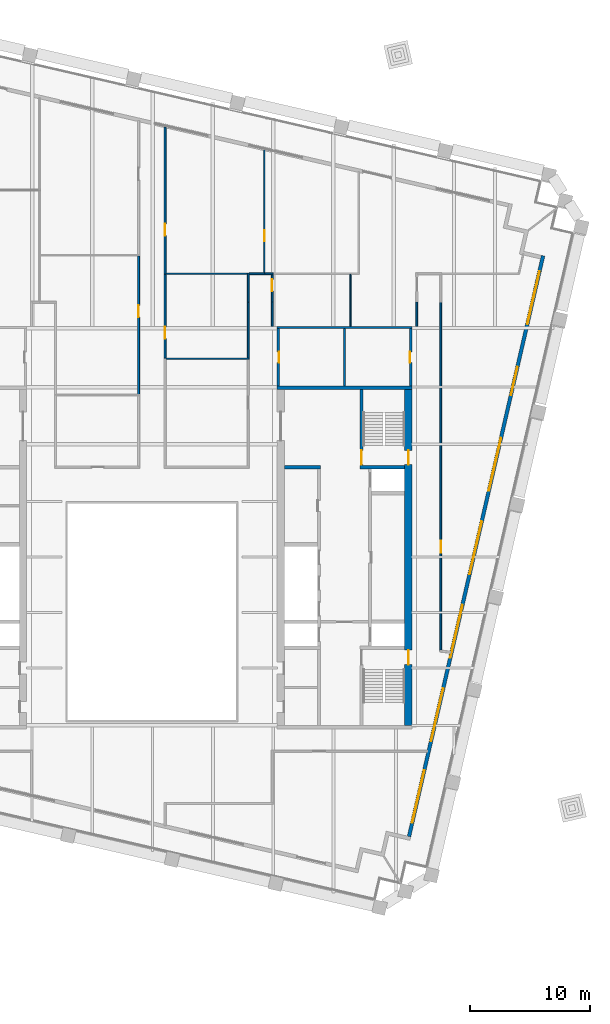
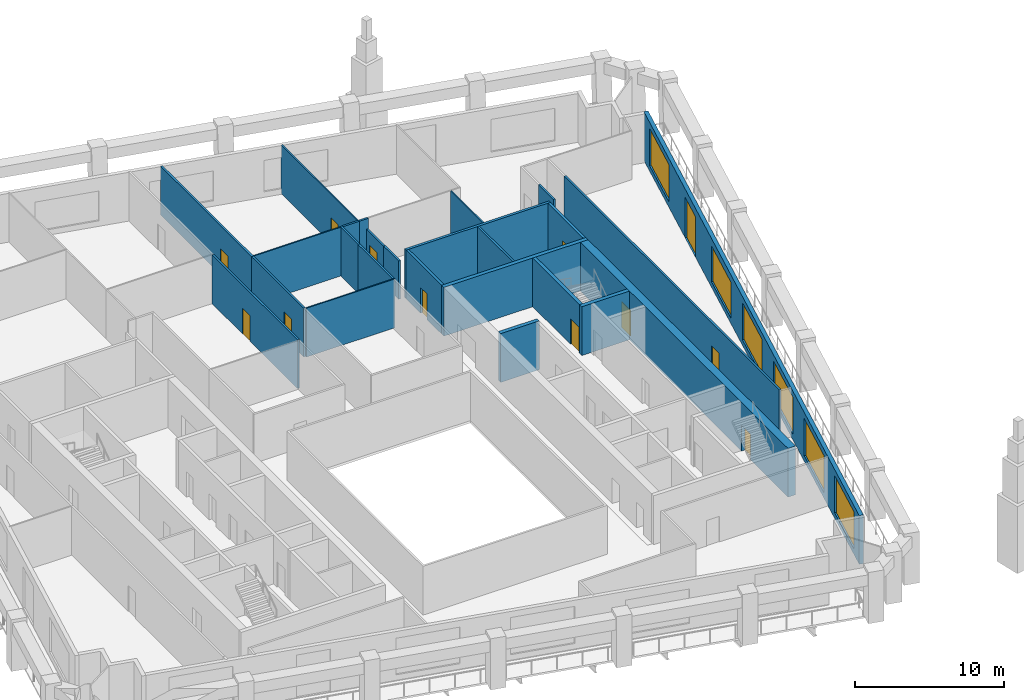
# One storey, part 7 of 9: 25 walls, 12 doors, 6 windows, 18 openings.
"""IFC4 building model written with IfcOpenShell, lengths in metres."""

from ifc_helpers import new_model, si_unit, direction, frame, frame_2d, origin, place, context, subcontext, project, spatial, rectangle, extrude, material, layer, layer_set, type_object, element, fill, save


model = new_model("IFC4")

# Units and contexts
model_context = context("Model", 3, precision=1e-05, world=origin(), true_north=direction((0.0, 1.0)))
body_context = subcontext(model_context, "Body", "Model", "MODEL_VIEW")
ifc_project = project(units=[si_unit("LENGTHUNIT", "METRE"), si_unit("AREAUNIT", "SQUARE_METRE"), si_unit("VOLUMEUNIT", "CUBIC_METRE"), si_unit("PLANEANGLEUNIT", "RADIAN"), si_unit("MASSUNIT", "GRAM", prefix="KILO")], contexts=[model_context])

# Site, building, storey
site_placement = place(None, origin())
site = spatial("IfcSite", under=ifc_project, at=site_placement, CompositionType="ELEMENT")
building_placement = place(site_placement, origin())
building = spatial("IfcBuilding", under=site, at=building_placement, Name="Ogive Exchange Tower", CompositionType="ELEMENT")
storey_placement = place(building_placement, frame((0.0, 0.0, 243.0)))
storey = spatial("IfcBuildingStorey", under=building, at=storey_placement, Name="L52", CompositionType="ELEMENT", Elevation=243.0)

# Walls
ifc_material_1 = material(Name="Gypsum board partition")
ifc_layer_1 = layer(ifc_material_1, 0.14990234375)
ifc_layer_set_1 = layer_set([ifc_layer_1], Name="Core room partition 150 gypsum")
wall_type_1 = type_object("IfcWallType", Name="Core room partition 150 gypsum", PredefinedType="PARTITIONING", material=ifc_layer_set_1)
wall_1_placement = place(storey_placement, frame((16.0, 25.75, 0.0), z_axis=(0.0, 0.0, 1.0), x_axis=(0.0, 1.0, 0.0)))
element("IfcWall", 1, at=wall_1_placement, inside=storey, type_object=wall_type_1, Name="E annex N column wall", PredefinedType="PARTITIONING", context=body_context, shape_type="SweptSolid", body=[
    extrude(rectangle(XDim=4.75, YDim=0.14990234375, at=frame_2d((2.375, 0.0))), origin(), (0.0, 0.0, 1.0), 4.0),
])
ifc_layer_2 = layer(ifc_material_1, 0.300048828125)
ifc_layer_set_2 = layer_set([ifc_layer_2], Name="Core room partition 300 gypsum")
wall_type_2 = type_object("IfcWallType", Name="Core room partition 300 gypsum", PredefinedType="PARTITIONING", material=ifc_layer_set_2)
wall_2_placement = place(storey_placement, frame((11.0, 19.0, 0.0), z_axis=(0.0, 0.0, 1.0), x_axis=(1.0, 0.0, 0.0)))
element("IfcWall", 2, at=wall_2_placement, inside=storey, type_object=wall_type_2, Name="E row B room end wall 7", PredefinedType="PARTITIONING", context=body_context, shape_type="SweptSolid", body=[
    extrude(rectangle(XDim=3.0, YDim=0.300048828125, at=frame_2d((1.5, 0.0))), origin(), (0.0, 0.0, 1.0), 4.0),
])

# Wall, opening, door
ifc_material_2 = material(Name="Fire partition EI 60 150")
ifc_layer_3 = layer(ifc_material_2, 0.14990234375)
ifc_layer_set_3 = layer_set([ifc_layer_3], Name="Fire partition EI 60 150")
wall_type_3 = type_object("IfcWallType", Name="Fire partition EI 60 150", PredefinedType="PARTITIONING", material=ifc_layer_set_3)
wall_3_placement = place(storey_placement, frame((-1.10009765625, 25.050048828125, 0.0), z_axis=(0.0, 0.0, 1.0), x_axis=(0.0, 1.0, 0.0)))
wall_3 = element("IfcWall", 3, at=wall_3_placement, inside=storey, type_object=wall_type_3, Name="L52-PWL-025", PredefinedType="PARTITIONING", context=body_context, shape_type="SweptSolid", body=[
    extrude(rectangle(XDim=11.489990234375, YDim=0.14990234375, at=frame_2d((5.7451171875, 0.0))), origin(), (0.0, 0.0, 1.0), 4.0),
])
opening_1_placement = place(wall_3_placement, frame((6.389892578125, 0.0, 0.0)))
opening_1 = element("IfcOpeningElement", 4, at=opening_1_placement, cuts=wall_3, Name="Opening L52-I02", PredefinedType="OPENING", context=body_context, shape_type="SweptSolid", body=[
    extrude(rectangle(XDim=1.0, YDim=2.10009765625, at=frame_2d((0.5, 1.050048828125))), frame((0.0, 0.0849609375, 0.0), z_axis=(0.0, -1.0, 0.0), x_axis=(1.0, 0.0, 0.0)), (0.0, 0.0, 1.0), 0.169921875),
])
ifc_material_3 = material(Name="Fire door FD 30S 1000 x 2100")
door_type_1 = type_object("IfcDoorType", Name="Fire door FD 30S 1000 x 2100", OperationType="NOTDEFINED", PredefinedType="DOOR", material=ifc_material_3)
door_1_placement = place(opening_1_placement, origin())
door_1 = element("IfcDoor", 5, at=door_1_placement, inside=storey, type_object=door_type_1, Name="L52-IDR-002", ObjectType="DT3", OperationType="SINGLE_SWING_RIGHT", OverallHeight=2.10009765625, OverallWidth=1.0, PredefinedType="DOOR", context=body_context, shape_type="SweptSolid", body=[
    extrude(rectangle(XDim=1.0, YDim=2.10009765625, at=frame_2d((0.5, 1.050048828125))), frame((0.0, 0.02490234375, 0.0), z_axis=(0.0, -1.0, 0.0), x_axis=(1.0, 0.0, 0.0)), (0.0, 0.0, 1.0), 0.050048828125),
])
fill(opening_1, door_1)

wall_4_placement = place(storey_placement, frame((1.10009765625, 35.02001953125, 0.0), z_axis=(0.0, 0.0, 1.0), x_axis=(0.0, -1.0, 0.0)))
wall_4 = element("IfcWall", 6, at=wall_4_placement, inside=storey, type_object=wall_type_3, Name="L52-PWL-031", PredefinedType="PARTITIONING", context=body_context, shape_type="SweptSolid", body=[
    extrude(rectangle(XDim=6.969970703125, YDim=0.14990234375, at=frame_2d((3.48486328125, 0.0))), origin(), (0.0, 0.0, 1.0), 4.0),
])
opening_2_placement = place(wall_4_placement, frame((4.3701171875, 0.0, 0.0)))
opening_2 = element("IfcOpeningElement", 7, at=opening_2_placement, cuts=wall_4, Name="Opening L52-I10", PredefinedType="OPENING", context=body_context, shape_type="SweptSolid", body=[
    extrude(rectangle(XDim=1.0, YDim=2.10009765625, at=frame_2d((0.5, 1.050048828125))), frame((0.0, 0.0849609375, 0.0), z_axis=(0.0, -1.0, 0.0), x_axis=(1.0, 0.0, 0.0)), (0.0, 0.0, 1.0), 0.169921875),
])
door_2_placement = place(opening_2_placement, origin())
door_2 = element("IfcDoor", 8, at=door_2_placement, inside=storey, type_object=door_type_1, Name="L52-IDR-010", ObjectType="DT3", OperationType="SINGLE_SWING_LEFT", OverallHeight=2.10009765625, OverallWidth=1.0, PredefinedType="DOOR", context=body_context, shape_type="SweptSolid", body=[
    extrude(rectangle(XDim=1.0, YDim=2.10009765625, at=frame_2d((0.5, 1.050048828125))), frame((0.0, 0.02490234375, 0.0), z_axis=(0.0, -1.0, 0.0), x_axis=(1.0, 0.0, 0.0)), (0.0, 0.0, 1.0), 0.050048828125),
])
fill(opening_2, door_2)

wall_5_placement = place(storey_placement, frame((1.10009765625, 47.27001953125, 0.0), z_axis=(0.0, 0.0, 1.0), x_axis=(0.0, -1.0, 0.0)))
wall_5 = element("IfcWall", 9, at=wall_5_placement, inside=storey, type_object=wall_type_3, Name="L52-PWL-032", PredefinedType="PARTITIONING", context=body_context, shape_type="SweptSolid", body=[
    extrude(rectangle(XDim=12.25, YDim=0.14990234375, at=frame_2d((6.125, 0.0))), origin(), (0.0, 0.0, 1.0), 4.0),
])
opening_3_placement = place(wall_5_placement, frame((8.050048828125, 0.0, 0.0)))
opening_3 = element("IfcOpeningElement", 10, at=opening_3_placement, cuts=wall_5, Name="Opening L52-I09", PredefinedType="OPENING", context=body_context, shape_type="SweptSolid", body=[
    extrude(rectangle(XDim=1.0, YDim=2.10009765625, at=frame_2d((0.5, 1.050048828125))), frame((0.0, 0.0849609375, 0.0), z_axis=(0.0, -1.0, 0.0), x_axis=(1.0, 0.0, 0.0)), (0.0, 0.0, 1.0), 0.169921875),
])
door_3_placement = place(opening_3_placement, origin())
door_3 = element("IfcDoor", 11, at=door_3_placement, inside=storey, type_object=door_type_1, Name="L52-IDR-009", ObjectType="DT3", OperationType="SINGLE_SWING_LEFT", OverallHeight=2.10009765625, OverallWidth=1.0, PredefinedType="DOOR", context=body_context, shape_type="SweptSolid", body=[
    extrude(rectangle(XDim=1.0, YDim=2.10009765625, at=frame_2d((0.5, 1.050048828125))), frame((0.0, 0.02490234375, 0.0), z_axis=(0.0, -1.0, 0.0), x_axis=(1.0, 0.0, 0.0)), (0.0, 0.0, 1.0), 0.050048828125),
])
fill(opening_3, door_3)

# Walls
wall_6_placement = place(storey_placement, frame((8.0, 28.050048828125, 0.0), z_axis=(0.0, 0.0, 1.0), x_axis=(0.0, 1.0, 0.0)))
element("IfcWall", 12, at=wall_6_placement, inside=storey, type_object=wall_type_3, Name="L52-PWL-034", PredefinedType="PARTITIONING", context=body_context, shape_type="SweptSolid", body=[
    extrude(rectangle(XDim=4.64990234375, YDim=0.14990234375, at=frame_2d((2.324951171875, 0.0))), origin(), (0.0, 0.0, 1.0), 4.0),
])
wall_7_placement = place(storey_placement, frame((8.010009765625, 32.699951171875, 0.0), z_axis=(0.0, 0.0, 1.0), x_axis=(0.0, 1.0, 0.0)))
element("IfcWall", 13, at=wall_7_placement, inside=storey, type_object=wall_type_3, Name="L52-PWL-035", PredefinedType="PARTITIONING", context=body_context, shape_type="SweptSolid", body=[
    extrude(rectangle(XDim=2.420166015625, YDim=0.14990234375, at=frame_2d((1.2099609375, 0.0))), origin(), (0.0, 0.0, 1.0), 4.0),
])
wall_8_placement = place(storey_placement, frame((8.0849609375, 35.070068359375, 0.0), z_axis=(0.0, 0.0, 1.0), x_axis=(1.0, 0.0, 0.0)))
element("IfcWall", 14, at=wall_8_placement, inside=storey, type_object=wall_type_3, Name="L52-PWL-037", PredefinedType="PARTITIONING", context=body_context, shape_type="SweptSolid", body=[
    extrude(rectangle(XDim=1.304931640625, YDim=0.14990234375, at=frame_2d((0.65234375, 0.0))), origin(), (0.0, 0.0, 1.0), 4.0),
])
wall_9_placement = place(storey_placement, frame((9.389892578125, 35.070068359375, 0.0), z_axis=(0.0, 0.0, 1.0), x_axis=(1.0, 0.0, 0.0)))
element("IfcWall", 15, at=wall_9_placement, inside=storey, type_object=wall_type_3, Name="L52-PWL-038", PredefinedType="PARTITIONING", context=body_context, shape_type="SweptSolid", body=[
    extrude(rectangle(XDim=0.675048828125, YDim=0.14990234375, at=frame_2d((0.33740234375, 0.0))), origin(), (0.0, 0.0, 1.0), 4.0),
])

# Wall, opening, door
wall_10_placement = place(storey_placement, frame((9.989990234375, 34.9951171875, 0.0), z_axis=(0.0, 0.0, 1.0), x_axis=(0.0, -1.0, 0.0)))
wall_10 = element("IfcWall", 16, at=wall_10_placement, inside=storey, type_object=wall_type_3, Name="L52-PWL-040", PredefinedType="PARTITIONING", context=body_context, shape_type="SweptSolid", body=[
    extrude(rectangle(XDim=2.295166015625, YDim=0.14990234375, at=frame_2d((1.1474609375, 0.0))), origin(), (0.0, 0.0, 1.0), 3.154052734375),
])
opening_4_placement = place(wall_10_placement, frame((0.39501953125, 0.0, 0.0)))
opening_4 = element("IfcOpeningElement", 17, at=opening_4_placement, cuts=wall_10, Name="Opening L52-I11", PredefinedType="OPENING", context=body_context, shape_type="SweptSolid", body=[
    extrude(rectangle(XDim=1.0, YDim=2.10009765625, at=frame_2d((0.5, 1.050048828125))), frame((0.0, 0.0849609375, 0.0), z_axis=(0.0, -1.0, 0.0), x_axis=(1.0, 0.0, 0.0)), (0.0, 0.0, 1.0), 0.169921875),
])
door_4_placement = place(opening_4_placement, origin())
door_4 = element("IfcDoor", 18, at=door_4_placement, inside=storey, type_object=door_type_1, Name="L52-IDR-011", ObjectType="DT3", OperationType="SINGLE_SWING_RIGHT", OverallHeight=2.10009765625, OverallWidth=1.0, PredefinedType="DOOR", context=body_context, shape_type="SweptSolid", body=[
    extrude(rectangle(XDim=1.0, YDim=2.10009765625, at=frame_2d((0.5, 1.050048828125))), frame((0.0, 0.02490234375, 0.0), z_axis=(0.0, -1.0, 0.0), x_axis=(1.0, 0.0, 0.0)), (0.0, 0.0, 1.0), 0.050048828125),
])
fill(opening_4, door_4)

# Walls
wall_11_placement = place(storey_placement, frame((10.0, 32.699951171875, 0.0), z_axis=(0.0, 0.0, 1.0), x_axis=(0.0, -1.0, 0.0)))
element("IfcWall", 19, at=wall_11_placement, inside=storey, type_object=wall_type_3, Name="L52-PWL-044", PredefinedType="PARTITIONING", context=body_context, shape_type="SweptSolid", body=[
    extrude(rectangle(XDim=2.0, YDim=0.14990234375, at=frame_2d((1.0, 0.0))), origin(), (0.0, 0.0, 1.0), 3.154052734375),
])
wall_12_placement = place(storey_placement, frame((22.0, 30.68994140625, 0.0), z_axis=(0.0, 0.0, 1.0), x_axis=(0.0, 1.0, 0.0)))
element("IfcWall", 20, at=wall_12_placement, inside=storey, type_object=wall_type_3, Name="L52-PWL-048", PredefinedType="PARTITIONING", context=body_context, shape_type="SweptSolid", body=[
    extrude(rectangle(XDim=2.010009765625, YDim=0.14990234375, at=frame_2d((1.0048828125, 0.0))), origin(), (0.0, 0.0, 1.0), 4.0),
])

# Wall, opening, door
wall_13_placement = place(storey_placement, frame((24.0, 32.699951171875, 0.0), z_axis=(0.0, 0.0, 1.0), x_axis=(0.0, -1.0, 0.0)))
wall_13 = element("IfcWall", 21, at=wall_13_placement, inside=storey, type_object=wall_type_3, Name="L52-PWL-055", PredefinedType="PARTITIONING", context=body_context, shape_type="SweptSolid", body=[
    extrude(rectangle(XDim=28.905029296875, YDim=0.14990234375, at=frame_2d((14.45263671875, 0.0))), origin(), (0.0, 0.0, 1.0), 4.0),
])
opening_5_placement = place(wall_13_placement, frame((19.830078125, 0.0, 0.0)))
opening_5 = element("IfcOpeningElement", 22, at=opening_5_placement, cuts=wall_13, Name="Opening L52-I12", PredefinedType="OPENING", context=body_context, shape_type="SweptSolid", body=[
    extrude(rectangle(XDim=1.0, YDim=2.10009765625, at=frame_2d((0.5, 1.050048828125))), frame((0.0, 0.0849609375, 0.0), z_axis=(0.0, -1.0, 0.0), x_axis=(1.0, 0.0, 0.0)), (0.0, 0.0, 1.0), 0.169921875),
])
door_5_placement = place(opening_5_placement, origin())
door_5 = element("IfcDoor", 23, at=door_5_placement, inside=storey, type_object=door_type_1, Name="L52-IDR-012", ObjectType="DT3", OperationType="SINGLE_SWING_LEFT", OverallHeight=2.10009765625, OverallWidth=1.0, PredefinedType="DOOR", context=body_context, shape_type="SweptSolid", body=[
    extrude(rectangle(XDim=1.0, YDim=2.10009765625, at=frame_2d((0.5, 1.050048828125))), frame((0.0, 0.02490234375, 0.0), z_axis=(0.0, -1.0, 0.0), x_axis=(1.0, 0.0, 0.0)), (0.0, 0.0, 1.0), 0.050048828125),
])
fill(opening_5, door_5)

# Wall, openings, door, windows
ifc_material_4 = material(Name="Precast concrete C40/50", Category="concrete")
ifc_layer_4 = layer(ifc_material_4, 0.300048828125)
ifc_layer_set_4 = layer_set([ifc_layer_4], Name="Limestone-faced wall 300")
wall_type_4 = type_object("IfcWallType", Name="Limestone-faced wall 300", PredefinedType="STANDARD", material=ifc_layer_set_4)
wall_14_placement = place(storey_placement, frame((21.35888671875, -11.67822265625, 0.0), z_axis=(0.0, 0.0, 1.0), x_axis=(0.224949198343, 0.974370493275, 0.0)))
wall_14 = element("IfcWall", 24, at=wall_14_placement, inside=storey, type_object=wall_type_4, Name="External wall E2", PredefinedType="STANDARD", context=body_context, shape_type="SweptSolid", body=[
    extrude(rectangle(XDim=49.5, YDim=0.300048828125, at=frame_2d((24.75, 0.0))), origin(), (0.0, 0.0, 1.0), 4.0),
])
opening_6_placement = place(wall_14_placement, frame((1.156982421875, 0.0, 0.449951171875)))
opening_6 = element("IfcOpeningElement", 25, at=opening_6_placement, cuts=wall_14, Name="Opening W1", PredefinedType="OPENING", context=body_context, shape_type="SweptSolid", body=[
    extrude(rectangle(XDim=4.5, YDim=3.050048828125, at=frame_2d((2.25, 1.52490234375))), frame((0.0, 0.159912109375, 0.0), z_axis=(0.0, -1.0, 0.0), x_axis=(1.0, 0.0, 0.0)), (0.0, 0.0, 1.0), 0.320068359375),
])
opening_7_placement = place(wall_14_placement, frame((8.121337890625, 0.0, 0.449951171875)))
opening_7 = element("IfcOpeningElement", 26, at=opening_7_placement, cuts=wall_14, Name="Opening W1", PredefinedType="OPENING", context=body_context, shape_type="SweptSolid", body=[
    extrude(rectangle(XDim=4.5, YDim=3.050048828125, at=frame_2d((2.25, 1.52490234375))), frame((0.0, 0.159912109375, 0.0), z_axis=(0.0, -1.0, 0.0), x_axis=(1.0, 0.0, 0.0)), (0.0, 0.0, 1.0), 0.320068359375),
])
opening_8_placement = place(wall_14_placement, frame((15.235595703125, 0.0, 0.449951171875)))
opening_8 = element("IfcOpeningElement", 27, at=opening_8_placement, cuts=wall_14, Name="Opening W1", PredefinedType="OPENING", context=body_context, shape_type="SweptSolid", body=[
    extrude(rectangle(XDim=4.5, YDim=3.050048828125, at=frame_2d((2.25, 1.52490234375))), frame((0.0, 0.159912109375, 0.0), z_axis=(0.0, -1.0, 0.0), x_axis=(1.0, 0.0, 0.0)), (0.0, 0.0, 1.0), 0.320068359375),
])
opening_9_placement = place(wall_14_placement, frame((22.35009765625, 0.0, 0.449951171875)))
opening_9 = element("IfcOpeningElement", 28, at=opening_9_placement, cuts=wall_14, Name="Opening W1", PredefinedType="OPENING", context=body_context, shape_type="SweptSolid", body=[
    extrude(rectangle(XDim=4.5, YDim=3.050048828125, at=frame_2d((2.25, 1.52490234375))), frame((0.0, 0.159912109375, 0.0), z_axis=(0.0, -1.0, 0.0), x_axis=(1.0, 0.0, 0.0)), (0.0, 0.0, 1.0), 0.320068359375),
])
opening_10_placement = place(wall_14_placement, frame((29.464111328125, 0.0, 0.449951171875)))
opening_10 = element("IfcOpeningElement", 29, at=opening_10_placement, cuts=wall_14, Name="Opening W1B", PredefinedType="OPENING", context=body_context, shape_type="SweptSolid", body=[
    extrude(rectangle(XDim=4.5, YDim=2.949951171875, at=frame_2d((2.25, 1.47509765625))), frame((0.0, 0.159912109375, 0.0), z_axis=(0.0, -1.0, 0.0), x_axis=(1.0, 0.0, 0.0)), (0.0, 0.0, 1.0), 0.320068359375),
])
opening_11_placement = place(wall_14_placement, frame((37.62841796875, 0.0, 0.0)))
opening_11 = element("IfcOpeningElement", 30, at=opening_11_placement, cuts=wall_14, Name="Opening D1C", PredefinedType="OPENING", context=body_context, shape_type="SweptSolid", body=[
    extrude(rectangle(XDim=2.39990234375, YDim=3.324951171875, at=frame_2d((1.199951171875, 1.66259765625))), frame((0.0, 0.159912109375, 0.0), z_axis=(0.0, -1.0, 0.0), x_axis=(1.0, 0.0, 0.0)), (0.0, 0.0, 1.0), 0.320068359375),
])
opening_12_placement = place(wall_14_placement, frame((43.69287109375, 0.0, 0.449951171875)))
opening_12 = element("IfcOpeningElement", 31, at=opening_12_placement, cuts=wall_14, Name="Opening W1", PredefinedType="OPENING", context=body_context, shape_type="SweptSolid", body=[
    extrude(rectangle(XDim=4.5, YDim=3.050048828125, at=frame_2d((2.25, 1.52490234375))), frame((0.0, 0.159912109375, 0.0), z_axis=(0.0, -1.0, 0.0), x_axis=(1.0, 0.0, 0.0)), (0.0, 0.0, 1.0), 0.320068359375),
])
ifc_material_5 = material(Name="Clear glass in bronze frame", Category="glass")
door_type_2 = type_object("IfcDoorType", Name="Sliding loggia door 2400 x 3325", OperationType="DOUBLE_DOOR_SLIDING", PredefinedType="DOOR", material=ifc_material_5)
door_6_placement = place(opening_11_placement, origin())
door_6 = element("IfcDoor", 32, at=door_6_placement, inside=storey, type_object=door_type_2, Name="Loggia door E05", OperationType="DOUBLE_DOOR_SLIDING", OverallHeight=3.324951171875, OverallWidth=2.39990234375, PredefinedType="DOOR", context=body_context, shape_type="SweptSolid", body=[
    extrude(rectangle(XDim=2.39990234375, YDim=3.324951171875, at=frame_2d((1.199951171875, 1.66259765625))), frame((0.0, 0.02490234375, 0.0), z_axis=(0.0, -1.0, 0.0), x_axis=(1.0, 0.0, 0.0)), (0.0, 0.0, 1.0), 0.050048828125),
])
fill(opening_11, door_6)
window_type_1 = type_object("IfcWindowType", Name="Twin lancet window 4500 x 2950", PartitioningType="DOUBLE_PANEL_VERTICAL", PredefinedType="WINDOW", material=ifc_material_5)
window_1_placement = place(opening_10_placement, origin())
window_1 = element("IfcWindow", 33, at=window_1_placement, inside=storey, type_object=window_type_1, Name="Window E04", OverallHeight=2.949951171875, OverallWidth=4.5, PartitioningType="DOUBLE_PANEL_VERTICAL", PredefinedType="WINDOW", context=body_context, shape_type="SweptSolid", body=[
    extrude(rectangle(XDim=4.5, YDim=2.949951171875, at=frame_2d((2.25, 1.47509765625))), frame((0.0, 0.030029296875, 0.0), z_axis=(0.0, -1.0, 0.0), x_axis=(1.0, 0.0, 0.0)), (0.0, 0.0, 1.0), 0.06005859375),
])
fill(opening_10, window_1)
window_type_2 = type_object("IfcWindowType", Name="Twin lancet window 4500 x 3050", PartitioningType="DOUBLE_PANEL_VERTICAL", PredefinedType="WINDOW", material=ifc_material_5)
window_2_placement = place(opening_6_placement, origin())
window_2 = element("IfcWindow", 34, at=window_2_placement, inside=storey, type_object=window_type_2, Name="Window E00", OverallHeight=3.050048828125, OverallWidth=4.5, PartitioningType="DOUBLE_PANEL_VERTICAL", PredefinedType="WINDOW", context=body_context, shape_type="SweptSolid", body=[
    extrude(rectangle(XDim=4.5, YDim=3.050048828125, at=frame_2d((2.25, 1.52490234375))), frame((0.0, 0.030029296875, 0.0), z_axis=(0.0, -1.0, 0.0), x_axis=(1.0, 0.0, 0.0)), (0.0, 0.0, 1.0), 0.06005859375),
])
fill(opening_6, window_2)
window_3_placement = place(opening_7_placement, origin())
window_3 = element("IfcWindow", 35, at=window_3_placement, inside=storey, type_object=window_type_2, Name="Window E01", OverallHeight=3.050048828125, OverallWidth=4.5, PartitioningType="DOUBLE_PANEL_VERTICAL", PredefinedType="WINDOW", context=body_context, shape_type="SweptSolid", body=[
    extrude(rectangle(XDim=4.5, YDim=3.050048828125, at=frame_2d((2.25, 1.52490234375))), frame((0.0, 0.030029296875, 0.0), z_axis=(0.0, -1.0, 0.0), x_axis=(1.0, 0.0, 0.0)), (0.0, 0.0, 1.0), 0.06005859375),
])
fill(opening_7, window_3)
window_4_placement = place(opening_8_placement, origin())
window_4 = element("IfcWindow", 36, at=window_4_placement, inside=storey, type_object=window_type_2, Name="Window E02", OverallHeight=3.050048828125, OverallWidth=4.5, PartitioningType="DOUBLE_PANEL_VERTICAL", PredefinedType="WINDOW", context=body_context, shape_type="SweptSolid", body=[
    extrude(rectangle(XDim=4.5, YDim=3.050048828125, at=frame_2d((2.25, 1.52490234375))), frame((0.0, 0.030029296875, 0.0), z_axis=(0.0, -1.0, 0.0), x_axis=(1.0, 0.0, 0.0)), (0.0, 0.0, 1.0), 0.06005859375),
])
fill(opening_8, window_4)
window_5_placement = place(opening_9_placement, origin())
window_5 = element("IfcWindow", 37, at=window_5_placement, inside=storey, type_object=window_type_2, Name="Window E03", OverallHeight=3.050048828125, OverallWidth=4.5, PartitioningType="DOUBLE_PANEL_VERTICAL", PredefinedType="WINDOW", context=body_context, shape_type="SweptSolid", body=[
    extrude(rectangle(XDim=4.5, YDim=3.050048828125, at=frame_2d((2.25, 1.52490234375))), frame((0.0, 0.030029296875, 0.0), z_axis=(0.0, -1.0, 0.0), x_axis=(1.0, 0.0, 0.0)), (0.0, 0.0, 1.0), 0.06005859375),
])
fill(opening_9, window_5)
window_6_placement = place(opening_12_placement, origin())
window_6 = element("IfcWindow", 38, at=window_6_placement, inside=storey, type_object=window_type_2, Name="Window E06", OverallHeight=3.050048828125, OverallWidth=4.5, PartitioningType="DOUBLE_PANEL_VERTICAL", PredefinedType="WINDOW", context=body_context, shape_type="SweptSolid", body=[
    extrude(rectangle(XDim=4.5, YDim=3.050048828125, at=frame_2d((2.25, 1.52490234375))), frame((0.0, 0.030029296875, 0.0), z_axis=(0.0, -1.0, 0.0), x_axis=(1.0, 0.0, 0.0)), (0.0, 0.0, 1.0), 0.06005859375),
])
fill(opening_12, window_6)

# Walls
ifc_material_6 = material(Name="Partition 100 gypsum")
ifc_layer_5 = layer(ifc_material_6, 0.10009765625)
ifc_layer_set_5 = layer_set([ifc_layer_5], Name="Partition 100 gypsum")
wall_type_5 = type_object("IfcWallType", Name="Partition 100 gypsum", PredefinedType="PARTITIONING", material=ifc_layer_set_5)
wall_15_placement = place(storey_placement, frame((1.175048828125, 28.0, 0.0), z_axis=(0.0, 0.0, 1.0), x_axis=(1.0, 0.0, 0.0)))
element("IfcWall", 39, at=wall_15_placement, inside=storey, type_object=wall_type_5, Name="L52-PWL-030", PredefinedType="PARTITIONING", context=body_context, shape_type="SweptSolid", body=[
    extrude(rectangle(XDim=6.89990234375, YDim=0.10009765625, at=frame_2d((3.449951171875, 0.0))), origin(), (0.0, 0.0, 1.0), 4.0),
])
wall_16_placement = place(storey_placement, frame((7.93505859375, 35.070068359375, 0.0), z_axis=(0.0, 0.0, 1.0), x_axis=(-1.0, 0.0, 0.0)))
element("IfcWall", 40, at=wall_16_placement, inside=storey, type_object=wall_type_5, Name="L52-PWL-036", PredefinedType="PARTITIONING", context=body_context, shape_type="SweptSolid", body=[
    extrude(rectangle(XDim=6.760009765625, YDim=0.10009765625, at=frame_2d((3.3798828125, 0.0))), origin(), (0.0, 0.0, 1.0), 4.0),
])

# Wall, opening, door
wall_17_placement = place(storey_placement, frame((9.340087890625, 45.367919921875, 0.0), z_axis=(0.0, 0.0, 1.0), x_axis=(0.0, -1.0, 0.0)))
wall_17 = element("IfcWall", 41, at=wall_17_placement, inside=storey, type_object=wall_type_5, Name="L52-PWL-039", PredefinedType="PARTITIONING", context=body_context, shape_type="SweptSolid", body=[
    extrude(rectangle(XDim=10.222900390625, YDim=0.10009765625, at=frame_2d((5.111328125, 0.0))), origin(), (0.0, 0.0, 1.0), 4.0),
])
opening_13_placement = place(wall_17_placement, frame((6.697998046875, 0.0, 0.0)))
opening_13 = element("IfcOpeningElement", 42, at=opening_13_placement, cuts=wall_17, Name="Opening L52-I13", PredefinedType="OPENING", context=body_context, shape_type="SweptSolid", body=[
    extrude(rectangle(XDim=0.89990234375, YDim=2.10009765625, at=frame_2d((0.449951171875, 1.050048828125))), frame((0.0, 0.06005859375, 0.0), z_axis=(0.0, -1.0, 0.0), x_axis=(1.0, 0.0, 0.0)), (0.0, 0.0, 1.0), 0.1201171875),
])
ifc_material_7 = material(Name="Door 900 x 2100")
door_type_3 = type_object("IfcDoorType", Name="Door 900 x 2100", OperationType="NOTDEFINED", PredefinedType="DOOR", material=ifc_material_7)
door_7_placement = place(opening_13_placement, origin())
door_7 = element("IfcDoor", 43, at=door_7_placement, inside=storey, type_object=door_type_3, Name="L52-IDR-013", ObjectType="DT1", OperationType="SINGLE_SWING_LEFT", OverallHeight=2.10009765625, OverallWidth=0.89990234375, PredefinedType="DOOR", context=body_context, shape_type="SweptSolid", body=[
    extrude(rectangle(XDim=0.89990234375, YDim=2.10009765625, at=frame_2d((0.449951171875, 1.050048828125))), frame((0.0, 0.02490234375, 0.0), z_axis=(0.0, -1.0, 0.0), x_axis=(1.0, 0.0, 0.0)), (0.0, 0.0, 1.0), 0.050048828125),
])
fill(opening_13, door_7)

# Wall
wall_18_placement = place(storey_placement, frame((16.5, 35.02001953125, 0.0), z_axis=(0.0, 0.0, 1.0), x_axis=(0.0, -1.0, 0.0)))
element("IfcWall", 44, at=wall_18_placement, inside=storey, type_object=wall_type_5, Name="L52-PWL-045", PredefinedType="PARTITIONING", context=body_context, shape_type="SweptSolid", body=[
    extrude(rectangle(XDim=4.320068359375, YDim=0.10009765625, at=frame_2d((2.16015625, 0.0))), origin(), (0.0, 0.0, 1.0), 4.0),
])

# Wall, opening, door
ifc_material_8 = material(Name="Concrete C70/85", Category="concrete")
ifc_layer_6 = layer(ifc_material_8, 0.199951171875)
ifc_layer_set_6 = layer_set([ifc_layer_6], Name="RC core wall 200 C70/85")
wall_type_6 = type_object("IfcWallType", Name="RC core wall 200 C70/85", PredefinedType="SHEAR", material=ifc_layer_set_6)
wall_19_placement = place(storey_placement, frame((21.5, 25.75, 0.0), z_axis=(0.0, 0.0, 1.0), x_axis=(0.0, 1.0, 0.0)))
wall_19 = element("IfcWall", 45, at=wall_19_placement, inside=storey, type_object=wall_type_6, Name="E annex N outer wall", PredefinedType="SHEAR", context=body_context, shape_type="SweptSolid", body=[
    extrude(rectangle(XDim=4.75, YDim=0.199951171875, at=frame_2d((2.375, 0.0))), origin(), (0.0, 0.0, 1.0), 4.0),
])
opening_14_placement = place(wall_19_placement, frame((1.925048828125, 0.0, 0.0)))
opening_14 = element("IfcOpeningElement", 46, at=opening_14_placement, cuts=wall_19, Name="Opening L52-C37", PredefinedType="OPENING", context=body_context, shape_type="SweptSolid", body=[
    extrude(rectangle(XDim=0.89990234375, YDim=2.10009765625, at=frame_2d((0.449951171875, 1.050048828125))), frame((0.0, 0.10986328125, 0.0), z_axis=(0.0, -1.0, 0.0), x_axis=(1.0, 0.0, 0.0)), (0.0, 0.0, 1.0), 0.219970703125),
])
ifc_material_9 = material(Name="Steel fire door", Category="steel")
door_type_4 = type_object("IfcDoorType", Name="Riser door FD60 900 x 2100", OperationType="NOTDEFINED", PredefinedType="DOOR", material=ifc_material_9)
door_8_placement = place(opening_14_placement, frame((0.89990234375, 0.14990234375, 0.0), z_axis=(0.0, 0.0, 1.0), x_axis=(-1.0, 0.0, 0.0)))
door_8 = element("IfcDoor", 47, at=door_8_placement, inside=storey, type_object=door_type_4, Name="Riser door", ObjectType="CD2", OperationType="SINGLE_SWING_LEFT", OverallHeight=2.10009765625, OverallWidth=0.89990234375, PredefinedType="DOOR", context=body_context, shape_type="SweptSolid", body=[
    extrude(rectangle(XDim=0.89990234375, YDim=2.10009765625, at=frame_2d((0.449951171875, 1.050048828125))), frame((0.0, 0.10009765625, 0.0), z_axis=(0.0, -1.0, 0.0), x_axis=(1.0, 0.0, 0.0)), (0.0, 0.0, 1.0), 0.050048828125),
])
fill(opening_14, door_8)

wall_20_placement = place(storey_placement, frame((10.5, 25.75, 0.0), z_axis=(0.0, 0.0, 1.0), x_axis=(0.0, 1.0, 0.0)))
wall_20 = element("IfcWall", 48, at=wall_20_placement, inside=storey, type_object=wall_type_6, Name="E annex N inner wall", PredefinedType="SHEAR", context=body_context, shape_type="SweptSolid", body=[
    extrude(rectangle(XDim=4.75, YDim=0.199951171875, at=frame_2d((2.375, 0.0))), origin(), (0.0, 0.0, 1.0), 4.0),
])
opening_15_placement = place(wall_20_placement, frame((1.925048828125, 0.0, 0.0)))
opening_15 = element("IfcOpeningElement", 49, at=opening_15_placement, cuts=wall_20, Name="Opening L52-C38", PredefinedType="OPENING", context=body_context, shape_type="SweptSolid", body=[
    extrude(rectangle(XDim=0.89990234375, YDim=2.10009765625, at=frame_2d((0.449951171875, 1.050048828125))), frame((0.0, 0.10986328125, 0.0), z_axis=(0.0, -1.0, 0.0), x_axis=(1.0, 0.0, 0.0)), (0.0, 0.0, 1.0), 0.219970703125),
])
door_9_placement = place(opening_15_placement, origin())
door_9 = element("IfcDoor", 50, at=door_9_placement, inside=storey, type_object=door_type_4, Name="Riser door", ObjectType="CD2", OperationType="SINGLE_SWING_LEFT", OverallHeight=2.10009765625, OverallWidth=0.89990234375, PredefinedType="DOOR", context=body_context, shape_type="SweptSolid", body=[
    extrude(rectangle(XDim=0.89990234375, YDim=2.10009765625, at=frame_2d((0.449951171875, 1.050048828125))), frame((0.0, -0.0498046875, 0.0), z_axis=(0.0, -1.0, 0.0), x_axis=(1.0, 0.0, 0.0)), (0.0, 0.0, 1.0), 0.050048828125),
])
fill(opening_15, door_9)

# Wall
wall_21_placement = place(storey_placement, frame((10.39990234375, 30.60009765625, 0.0), z_axis=(0.0, 0.0, 1.0), x_axis=(1.0, 0.0, 0.0)))
element("IfcWall", 51, at=wall_21_placement, inside=storey, type_object=wall_type_6, Name="E annex N end wall", PredefinedType="SHEAR", context=body_context, shape_type="SweptSolid", body=[
    extrude(rectangle(XDim=11.2001953125, YDim=0.199951171875, at=frame_2d((5.60009765625, 0.0))), origin(), (0.0, 0.0, 1.0), 4.0),
])

# Wall, opening, door
ifc_layer_7 = layer(ifc_material_8, 0.25)
ifc_layer_set_7 = layer_set([ifc_layer_7], Name="RC core wall 250 C70/85")
wall_type_7 = type_object("IfcWallType", Name="RC core wall 250 C70/85", PredefinedType="SHEAR", material=ifc_layer_set_7)
wall_22_placement = place(storey_placement, frame((17.425048828125, 19.14990234375, 0.0), z_axis=(0.0, 0.0, 1.0), x_axis=(0.0, 1.0, 0.0)))
wall_22 = element("IfcWall", 52, at=wall_22_placement, inside=storey, type_object=wall_type_7, Name="E stair N front wall", PredefinedType="SHEAR", context=body_context, shape_type="SweptSolid", body=[
    extrude(rectangle(XDim=6.300048828125, YDim=0.25, at=frame_2d((3.14990234375, 0.0))), origin(), (0.0, 0.0, 1.0), 4.0),
])
opening_16_placement = place(wall_22_placement, frame((0.050048828125, 0.0, 0.0)))
opening_16 = element("IfcOpeningElement", 53, at=opening_16_placement, cuts=wall_22, Name="Opening L52-C33", PredefinedType="OPENING", context=body_context, shape_type="SweptSolid", body=[
    extrude(rectangle(XDim=1.199951171875, YDim=2.10009765625, at=frame_2d((0.60009765625, 1.050048828125))), frame((0.0, 0.135009765625, 0.0), z_axis=(0.0, -1.0, 0.0), x_axis=(1.0, 0.0, 0.0)), (0.0, 0.0, 1.0), 0.27001953125),
])
door_type_5 = type_object("IfcDoorType", Name="Stair door FD90 1200 x 2100", OperationType="NOTDEFINED", PredefinedType="DOOR", material=ifc_material_9)
door_10_placement = place(opening_16_placement, frame((1.199951171875, 0.0, 0.0), z_axis=(0.0, 0.0, 1.0), x_axis=(-1.0, 0.0, 0.0)))
door_10 = element("IfcDoor", 54, at=door_10_placement, inside=storey, type_object=door_type_5, Name="Stair door", ObjectType="CD5", OperationType="SINGLE_SWING_LEFT", OverallHeight=2.10009765625, OverallWidth=1.199951171875, PredefinedType="DOOR", context=body_context, shape_type="SweptSolid", body=[
    extrude(rectangle(XDim=1.199951171875, YDim=2.10009765625, at=frame_2d((0.60009765625, 1.050048828125))), frame((0.0, 0.02490234375, 0.0), z_axis=(0.0, -1.0, 0.0), x_axis=(1.0, 0.0, 0.0)), (0.0, 0.0, 1.0), 0.050048828125),
])
fill(opening_16, door_10)

# Walls
ifc_layer_8 = layer(ifc_material_8, 0.300048828125)
ifc_layer_set_8 = layer_set([ifc_layer_8], Name="RC core wall 300 C70/85")
wall_type_8 = type_object("IfcWallType", Name="RC core wall 300 C70/85", PredefinedType="SHEAR", material=ifc_layer_set_8)
wall_23_placement = place(storey_placement, frame((10.39990234375, 25.60009765625, 0.0), z_axis=(0.0, 0.0, 1.0), x_axis=(1.0, 0.0, 0.0)))
element("IfcWall", 55, at=wall_23_placement, inside=storey, type_object=wall_type_8, Name="E north end wall", PredefinedType="SHEAR", context=body_context, shape_type="SweptSolid", body=[
    extrude(rectangle(XDim=11.2001953125, YDim=0.300048828125, at=frame_2d((5.60009765625, 0.0))), origin(), (0.0, 0.0, 1.0), 4.0),
])
wall_24_placement = place(storey_placement, frame((17.300048828125, 19.0, 0.0), z_axis=(0.0, 0.0, 1.0), x_axis=(1.0, 0.0, 0.0)))
element("IfcWall", 56, at=wall_24_placement, inside=storey, type_object=wall_type_8, Name="E stair N south wall", PredefinedType="SHEAR", context=body_context, shape_type="SweptSolid", body=[
    extrude(rectangle(XDim=3.699951171875, YDim=0.300048828125, at=frame_2d((1.85009765625, 0.0))), origin(), (0.0, 0.0, 1.0), 4.0),
])

# Wall, openings, doors
ifc_layer_9 = layer(ifc_material_8, 0.60009765625)
ifc_layer_set_9 = layer_set([ifc_layer_9], Name="RC core wall 600 C70/85")
wall_type_9 = type_object("IfcWallType", Name="RC core wall 600 C70/85", PredefinedType="SHEAR", material=ifc_layer_set_9)
wall_25_placement = place(storey_placement, frame((21.300048828125, -2.449951171875, 0.0), z_axis=(0.0, 0.0, 1.0), x_axis=(0.0, 1.0, 0.0)))
wall_25 = element("IfcWall", 57, at=wall_25_placement, inside=storey, type_object=wall_type_9, Name="E outer wall", PredefinedType="SHEAR", context=body_context, shape_type="SweptSolid", body=[
    extrude(rectangle(XDim=27.89990234375, YDim=0.60009765625, at=frame_2d((13.949951171875, 0.0))), origin(), (0.0, 0.0, 1.0), 4.0),
])
opening_17_placement = place(wall_25_placement, frame((5.050048828125, 0.0, 0.0)))
opening_17 = element("IfcOpeningElement", 58, at=opening_17_placement, cuts=wall_25, Name="Opening L52-C32", PredefinedType="OPENING", context=body_context, shape_type="SweptSolid", body=[
    extrude(rectangle(XDim=1.199951171875, YDim=2.10009765625, at=frame_2d((0.60009765625, 1.050048828125))), frame((0.0, 0.31005859375, 0.0), z_axis=(0.0, -1.0, 0.0), x_axis=(1.0, 0.0, 0.0)), (0.0, 0.0, 1.0), 0.6201171875),
])
opening_18_placement = place(wall_25_placement, frame((21.64990234375, 0.0, 0.0)))
opening_18 = element("IfcOpeningElement", 59, at=opening_18_placement, cuts=wall_25, Name="Opening L52-C34", PredefinedType="OPENING", context=body_context, shape_type="SweptSolid", body=[
    extrude(rectangle(XDim=1.199951171875, YDim=2.10009765625, at=frame_2d((0.60009765625, 1.050048828125))), frame((0.0, 0.31005859375, 0.0), z_axis=(0.0, -1.0, 0.0), x_axis=(1.0, 0.0, 0.0)), (0.0, 0.0, 1.0), 0.6201171875),
])
door_11_placement = place(opening_17_placement, frame((1.199951171875, 0.0, 0.0), z_axis=(0.0, 0.0, 1.0), x_axis=(-1.0, 0.0, 0.0)))
door_11 = element("IfcDoor", 60, at=door_11_placement, inside=storey, type_object=door_type_5, Name="Stair door", ObjectType="CD5", OperationType="SINGLE_SWING_RIGHT", OverallHeight=2.10009765625, OverallWidth=1.199951171875, PredefinedType="DOOR", context=body_context, shape_type="SweptSolid", body=[
    extrude(rectangle(XDim=1.199951171875, YDim=2.10009765625, at=frame_2d((0.60009765625, 1.050048828125))), frame((0.0, 0.02490234375, 0.0), z_axis=(0.0, -1.0, 0.0), x_axis=(1.0, 0.0, 0.0)), (0.0, 0.0, 1.0), 0.050048828125),
])
fill(opening_17, door_11)
door_12_placement = place(opening_18_placement, frame((1.199951171875, 0.0, 0.0), z_axis=(0.0, 0.0, 1.0), x_axis=(-1.0, 0.0, 0.0)))
door_12 = element("IfcDoor", 61, at=door_12_placement, inside=storey, type_object=door_type_5, Name="Stair door", ObjectType="CD5", OperationType="SINGLE_SWING_LEFT", OverallHeight=2.10009765625, OverallWidth=1.199951171875, PredefinedType="DOOR", context=body_context, shape_type="SweptSolid", body=[
    extrude(rectangle(XDim=1.199951171875, YDim=2.10009765625, at=frame_2d((0.60009765625, 1.050048828125))), frame((0.0, 0.02490234375, 0.0), z_axis=(0.0, -1.0, 0.0), x_axis=(1.0, 0.0, 0.0)), (0.0, 0.0, 1.0), 0.050048828125),
])
fill(opening_18, door_12)

save(model, "model.ifc")
